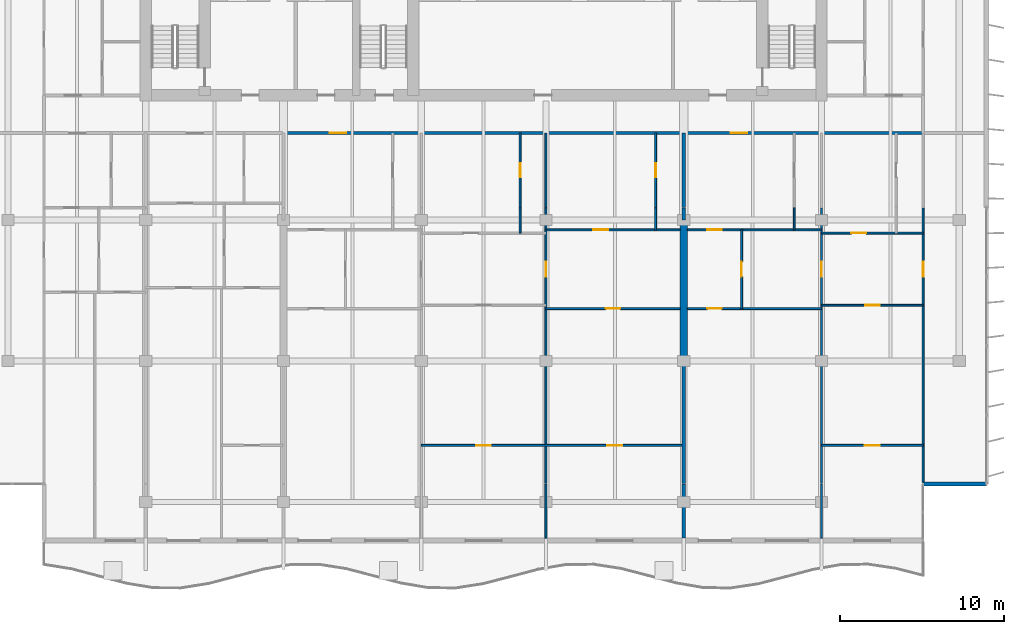
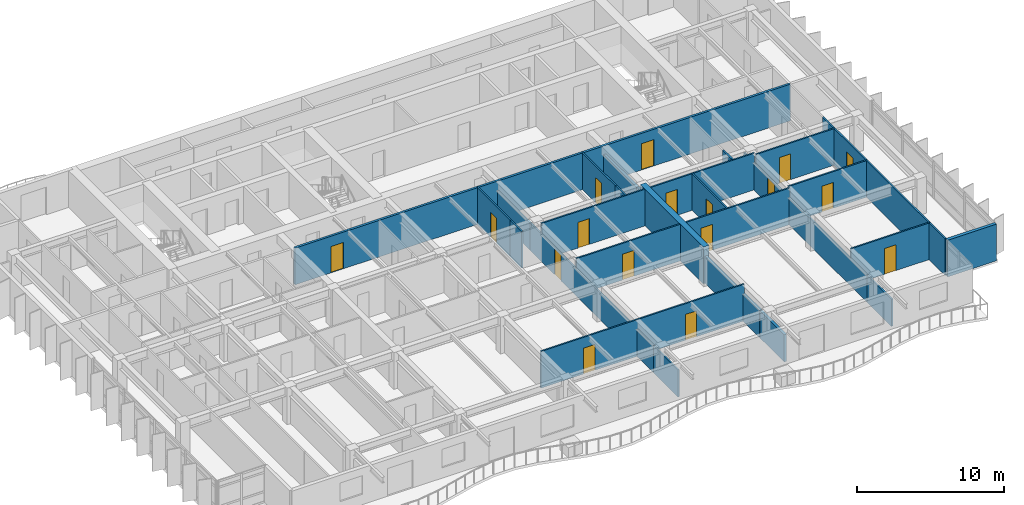
# One storey, part 8 of 16: 27 walls, 17 doors, 17 openings.
"""IFC4 building model written with IfcOpenShell, lengths in metres."""

from ifc_helpers import new_model, si_unit, direction, frame, frame_2d, origin, place, context, subcontext, project, spatial, rectangle, extrude, material, layer, layer_set, type_object, element, fill, save


model = new_model("IFC4")

# Units and contexts
model_context = context("Model", 3, precision=1e-05, world=origin(), true_north=direction((0.0, 1.0)))
body_context = subcontext(model_context, "Body", "Model", "MODEL_VIEW")
ifc_project = project(units=[si_unit("LENGTHUNIT", "METRE"), si_unit("AREAUNIT", "SQUARE_METRE"), si_unit("VOLUMEUNIT", "CUBIC_METRE"), si_unit("PLANEANGLEUNIT", "RADIAN"), si_unit("MASSUNIT", "GRAM", prefix="KILO")], contexts=[model_context])

# Site, building, storey
site_placement = place(None, origin())
site = spatial("IfcSite", under=ifc_project, at=site_placement, CompositionType="ELEMENT")
building_placement = place(site_placement, origin())
building = spatial("IfcBuilding", under=site, at=building_placement, Name="Caelmar Bay Residences", CompositionType="ELEMENT")
storey_placement = place(building_placement, frame((0.0, 0.0, 252.89990234375)))
storey = spatial("IfcBuildingStorey", under=building, at=storey_placement, Name="L71", CompositionType="ELEMENT", Elevation=252.89990234375)

# Wall
ifc_material_1 = material(Name="Concrete f'c 55 MPa (8,000 psi)", Category="concrete")
ifc_layer_1 = layer(ifc_material_1, 0.449951171875)
ifc_layer_set_1 = layer_set([ifc_layer_1], Name="Concrete f'c 55 MPa (8,000 psi)")
wall_type_1 = type_object("IfcWallType", Name="SW-XSLB-450", PredefinedType="SHEAR", material=ifc_layer_set_1)
wall_1_placement = place(storey_placement, frame((51.10009765625, 20.800048828125, 0.0), z_axis=(0.0, 0.0, 1.0), x_axis=(0.0, 1.0, 0.0)))
element("IfcWall", 1, at=wall_1_placement, inside=storey, type_object=wall_type_1, Name="L71 Transverse Cross-Slab Shear Wall E8", PredefinedType="SHEAR", context=body_context, shape_type="SweptSolid", body=[
    extrude(rectangle(XDim=8.599853515625, YDim=0.449951171875, at=frame_2d((4.2998046875, 0.0))), origin(), (0.0, 0.0, 1.0), 3.050048828125),
])

# Wall, openings, doors
ifc_material_2 = material(Name="Double-stud acoustic fire-rated gypsum partition 180 mm")
ifc_layer_2 = layer(ifc_material_2, 0.179931640625)
ifc_layer_set_2 = layer_set([ifc_layer_2], Name="Double-stud acoustic fire-rated gypsum partition 180 mm")
wall_type_2 = type_object("IfcWallType", Name="W-COR-200", PredefinedType="PARTITIONING", material=ifc_layer_set_2)
wall_2_placement = place(storey_placement, frame((26.699951171875, 34.699951171875, 0.0), z_axis=(0.0, 0.0, 1.0), x_axis=(1.0, 0.0, 0.0)))
wall_2 = element("IfcWall", 2, at=wall_2_placement, inside=storey, type_object=wall_type_2, Name="L71 Partition Wall H086", PredefinedType="PARTITIONING", context=body_context, shape_type="SweptSolid", body=[
    extrude(rectangle(XDim=39.0, YDim=0.179931640625, at=frame_2d((19.5, 0.0))), origin(), (0.0, 0.0, 1.0), 3.050048828125),
])
opening_1_placement = place(wall_2_placement, frame((2.826904296875, 0.0, 0.0)))
opening_1 = element("IfcOpeningElement", 3, at=opening_1_placement, cuts=wall_2, Name="Opening D-L71-137", PredefinedType="OPENING", context=body_context, shape_type="SweptSolid", body=[
    extrude(rectangle(XDim=1.0, YDim=2.199951171875, at=frame_2d((0.5, 1.10009765625))), frame((0.0, 0.099853515625, 0.0), z_axis=(0.0, -1.0, 0.0), x_axis=(1.0, 0.0, 0.0)), (0.0, 0.0, 1.0), 0.199951171875),
])
opening_2_placement = place(wall_2_placement, frame((27.26953125, 0.0, 0.0)))
opening_2 = element("IfcOpeningElement", 4, at=opening_2_placement, cuts=wall_2, Name="Opening D-L71-152", PredefinedType="OPENING", context=body_context, shape_type="SweptSolid", body=[
    extrude(rectangle(XDim=1.0, YDim=2.199951171875, at=frame_2d((0.5, 1.10009765625))), frame((0.0, 0.099853515625, 0.0), z_axis=(0.0, -1.0, 0.0), x_axis=(1.0, 0.0, 0.0)), (0.0, 0.0, 1.0), 0.199951171875),
])
ifc_material_3 = material(Name="Fire-rated steel and walnut architectural door assembly", Category="steel")
ifc_layer_3 = layer(ifc_material_3, 0.050048828125)
ifc_layer_set_3 = layer_set([ifc_layer_3], Name="Fire-rated steel and walnut architectural door assembly")
door_type_1 = type_object("IfcDoorType", Name="D-UNIT-1000", OperationType="NOTDEFINED", PredefinedType="DOOR", material=ifc_layer_set_3)
door_1_placement = place(opening_1_placement, origin())
door_1 = element("IfcDoor", 5, at=door_1_placement, inside=storey, type_object=door_type_1, Name="L71 Residence 03 Apartment Hall Door", OperationType="SINGLE_SWING_RIGHT", OverallHeight=2.199951171875, OverallWidth=1.0, PredefinedType="DOOR", context=body_context, shape_type="SweptSolid", body=[
    extrude(rectangle(XDim=1.0, YDim=2.199951171875, at=frame_2d((0.5, 1.10009765625))), frame((0.0, 0.02490234375, 0.0), z_axis=(0.0, -1.0, 0.0), x_axis=(1.0, 0.0, 0.0)), (0.0, 0.0, 1.0), 0.050048828125),
])
fill(opening_1, door_1)
door_2_placement = place(opening_2_placement, origin())
door_2 = element("IfcDoor", 6, at=door_2_placement, inside=storey, type_object=door_type_1, Name="L71 Residence 04 Apartment Hall Door", OperationType="SINGLE_SWING_LEFT", OverallHeight=2.199951171875, OverallWidth=1.0, PredefinedType="DOOR", context=body_context, shape_type="SweptSolid", body=[
    extrude(rectangle(XDim=1.0, YDim=2.199951171875, at=frame_2d((0.5, 1.10009765625))), frame((0.0, 0.02490234375, 0.0), z_axis=(0.0, -1.0, 0.0), x_axis=(1.0, 0.0, 0.0)), (0.0, 0.0, 1.0), 0.050048828125),
])
fill(opening_2, door_2)

# Walls
ifc_material_4 = material(Name="Precast concrete f'c 40 MPa (6,000 psi)", Category="concrete")
ifc_layer_4 = layer(ifc_material_4, 0.25)
ifc_layer_set_4 = layer_set([ifc_layer_4], Name="Precast concrete f'c 40 MPa (6,000 psi)")
wall_type_3 = type_object("IfcWallType", Name="W-EXT-250", PredefinedType="ELEMENTEDWALL", material=ifc_layer_set_4)
wall_3_placement = place(storey_placement, frame((65.699951171875, 13.300048828125, 0.0), z_axis=(0.0, 0.0, 1.0), x_axis=(1.0, 0.0, 0.0)))
element("IfcWall", 7, at=wall_3_placement, inside=storey, type_object=wall_type_3, Name="L71 SE Notch Return Wall", PredefinedType="ELEMENTEDWALL", context=body_context, shape_type="SweptSolid", body=[
    extrude(rectangle(XDim=3.85009765625, YDim=0.25, at=frame_2d((1.925048828125, 0.0))), origin(), (0.0, 0.0, 1.0), 3.050048828125),
])
ifc_material_5 = material(Name="Acoustic metal-stud gypsum partition 120 mm")
ifc_layer_5 = layer(ifc_material_5, 0.1201171875)
ifc_layer_set_5 = layer_set([ifc_layer_5], Name="Acoustic metal-stud gypsum partition 120 mm")
wall_type_4 = type_object("IfcWallType", Name="W-PRT-120", PredefinedType="PARTITIONING", material=ifc_layer_set_5)
wall_4_placement = place(storey_placement, frame((41.1259765625, 28.60009765625, 0.0), z_axis=(0.0, 0.0, 1.0), x_axis=(0.0, 1.0, 0.0)))
element("IfcWall", 8, at=wall_4_placement, inside=storey, type_object=wall_type_4, Name="L71 Partition Wall V035", PredefinedType="PARTITIONING", context=body_context, shape_type="SweptSolid", body=[
    extrude(rectangle(XDim=1.539794921875, YDim=0.1201171875, at=frame_2d((0.77001953125, 0.0))), origin(), (0.0, 0.0, 1.0), 3.050048828125),
])

# Wall, opening, door
wall_5_placement = place(storey_placement, frame((41.1259765625, 30.14990234375, 0.0), z_axis=(0.0, 0.0, 1.0), x_axis=(0.0, 1.0, 0.0)))
wall_5 = element("IfcWall", 9, at=wall_5_placement, inside=storey, type_object=wall_type_4, Name="L71 Partition Wall V036", PredefinedType="PARTITIONING", context=body_context, shape_type="SweptSolid", body=[
    extrude(rectangle(XDim=4.550048828125, YDim=0.1201171875, at=frame_2d((2.27490234375, 0.0))), origin(), (0.0, 0.0, 1.0), 3.050048828125),
])
opening_3_placement = place(wall_5_placement, frame((1.85009765625, 0.0, 0.0)))
opening_3 = element("IfcOpeningElement", 10, at=opening_3_placement, cuts=wall_5, Name="Opening D-L71-144", PredefinedType="OPENING", context=body_context, shape_type="SweptSolid", body=[
    extrude(rectangle(XDim=0.85009765625, YDim=2.10009765625, at=frame_2d((0.425048828125, 1.050048828125))), frame((0.0, 0.070068359375, 0.0), z_axis=(0.0, -1.0, 0.0), x_axis=(1.0, 0.0, 0.0)), (0.0, 0.0, 1.0), 0.14013671875),
])
ifc_material_6 = material(Name="Solid walnut timber interior door leaf and frame", Category="wood")
ifc_layer_6 = layer(ifc_material_6, 0.050048828125)
ifc_layer_set_6 = layer_set([ifc_layer_6], Name="Solid walnut timber interior door leaf and frame")
door_type_2 = type_object("IfcDoorType", Name="D-BATH-850", OperationType="NOTDEFINED", PredefinedType="DOOR", material=ifc_layer_set_6)
door_3_placement = place(opening_3_placement, origin())
door_3 = element("IfcDoor", 11, at=door_3_placement, inside=storey, type_object=door_type_2, Name="L71 Residence 03 En-Suite Bathroom 1 Door", OperationType="SINGLE_SWING_LEFT", OverallHeight=2.10009765625, OverallWidth=0.85009765625, PredefinedType="DOOR", context=body_context, shape_type="SweptSolid", body=[
    extrude(rectangle(XDim=0.85009765625, YDim=2.10009765625, at=frame_2d((0.425048828125, 1.050048828125))), frame((0.0, 0.02490234375, 0.0), z_axis=(0.0, -1.0, 0.0), x_axis=(1.0, 0.0, 0.0)), (0.0, 0.0, 1.0), 0.050048828125),
])
fill(opening_3, door_3)

# Wall
wall_6_placement = place(storey_placement, frame((42.699951171875, 9.9951171875, 0.0), z_axis=(0.0, 0.0, 1.0), x_axis=(0.0, 1.0, 0.0)))
element("IfcWall", 12, at=wall_6_placement, inside=storey, type_object=wall_type_4, Name="L71 Partition Wall V038", PredefinedType="PARTITIONING", context=body_context, shape_type="SweptSolid", body=[
    extrude(rectangle(XDim=3.304931640625, YDim=0.1201171875, at=frame_2d((1.65234375, 0.0))), origin(), (0.0, 0.0, 1.0), 2.26318359375),
])

# Wall, opening, door
wall_7_placement = place(storey_placement, frame((42.699951171875, 13.340087890625, 0.0), z_axis=(0.0, 0.0, 1.0), x_axis=(0.0, 1.0, 0.0)))
wall_7 = element("IfcWall", 13, at=wall_7_placement, inside=storey, type_object=wall_type_4, Name="L71 Partition Wall V039", PredefinedType="PARTITIONING", context=body_context, shape_type="SweptSolid", body=[
    extrude(rectangle(XDim=16.7998046875, YDim=0.1201171875, at=frame_2d((8.39990234375, 0.0))), origin(), (0.0, 0.0, 1.0), 2.26318359375),
])
opening_4_placement = place(wall_7_placement, frame((12.610107421875, 0.0, 0.0)))
opening_4 = element("IfcOpeningElement", 14, at=opening_4_placement, cuts=wall_7, Name="Opening D-L71-147", PredefinedType="OPENING", context=body_context, shape_type="SweptSolid", body=[
    extrude(rectangle(XDim=0.89990234375, YDim=2.14990234375, at=frame_2d((0.449951171875, 1.074951171875))), frame((0.0, 0.070068359375, 0.0), z_axis=(0.0, -1.0, 0.0), x_axis=(1.0, 0.0, 0.0)), (0.0, 0.0, 1.0), 0.14013671875),
])
ifc_layer_7 = layer(ifc_material_6, 0.050048828125)
ifc_layer_set_7 = layer_set([ifc_layer_7], Name="Solid walnut timber interior door leaf and frame")
door_type_3 = type_object("IfcDoorType", Name="D-ROOM-900", OperationType="NOTDEFINED", PredefinedType="DOOR", material=ifc_layer_set_7)
door_4_placement = place(opening_4_placement, origin())
door_4 = element("IfcDoor", 15, at=door_4_placement, inside=storey, type_object=door_type_3, Name="L71 Residence 03 Conference Study 2 Door", OperationType="SINGLE_SWING_RIGHT", OverallHeight=2.14990234375, OverallWidth=0.89990234375, PredefinedType="DOOR", context=body_context, shape_type="SweptSolid", body=[
    extrude(rectangle(XDim=0.89990234375, YDim=2.14990234375, at=frame_2d((0.449951171875, 1.074951171875))), frame((0.0, 0.02490234375, 0.0), z_axis=(0.0, -1.0, 0.0), x_axis=(1.0, 0.0, 0.0)), (0.0, 0.0, 1.0), 0.050048828125),
])
fill(opening_4, door_4)

# Walls
wall_8_placement = place(storey_placement, frame((42.699951171875, 30.14990234375, 0.0), z_axis=(0.0, 0.0, 1.0), x_axis=(0.0, 1.0, 0.0)))
element("IfcWall", 16, at=wall_8_placement, inside=storey, type_object=wall_type_4, Name="L71 Partition Wall V040", PredefinedType="PARTITIONING", context=body_context, shape_type="SweptSolid", body=[
    extrude(rectangle(XDim=4.550048828125, YDim=0.1201171875, at=frame_2d((2.27490234375, 0.0))), origin(), (0.0, 0.0, 1.0), 2.26318359375),
])
wall_9_placement = place(storey_placement, frame((49.387939453125, 28.800048828125, 0.0), z_axis=(0.0, 0.0, 1.0), x_axis=(0.0, 1.0, 0.0)))
element("IfcWall", 17, at=wall_9_placement, inside=storey, type_object=wall_type_4, Name="L71 Partition Wall V043", PredefinedType="PARTITIONING", context=body_context, shape_type="SweptSolid", body=[
    extrude(rectangle(XDim=1.33984375, YDim=0.1201171875, at=frame_2d((0.669921875, 0.0))), origin(), (0.0, 0.0, 1.0), 3.050048828125),
])

# Wall, opening, door
wall_10_placement = place(storey_placement, frame((49.387939453125, 30.14990234375, 0.0), z_axis=(0.0, 0.0, 1.0), x_axis=(0.0, 1.0, 0.0)))
wall_10 = element("IfcWall", 18, at=wall_10_placement, inside=storey, type_object=wall_type_4, Name="L71 Partition Wall V044", PredefinedType="PARTITIONING", context=body_context, shape_type="SweptSolid", body=[
    extrude(rectangle(XDim=4.550048828125, YDim=0.1201171875, at=frame_2d((2.27490234375, 0.0))), origin(), (0.0, 0.0, 1.0), 3.050048828125),
])
opening_5_placement = place(wall_10_placement, frame((1.85009765625, 0.0, 0.0)))
opening_5 = element("IfcOpeningElement", 19, at=opening_5_placement, cuts=wall_10, Name="Opening D-L71-149", PredefinedType="OPENING", context=body_context, shape_type="SweptSolid", body=[
    extrude(rectangle(XDim=0.85009765625, YDim=2.10009765625, at=frame_2d((0.425048828125, 1.050048828125))), frame((0.0, 0.070068359375, 0.0), z_axis=(0.0, -1.0, 0.0), x_axis=(1.0, 0.0, 0.0)), (0.0, 0.0, 1.0), 0.14013671875),
])
door_5_placement = place(opening_5_placement, origin())
door_5 = element("IfcDoor", 20, at=door_5_placement, inside=storey, type_object=door_type_2, Name="L71 Residence 03 En-Suite Bathroom 2 Door", OperationType="SINGLE_SWING_RIGHT", OverallHeight=2.10009765625, OverallWidth=0.85009765625, PredefinedType="DOOR", context=body_context, shape_type="SweptSolid", body=[
    extrude(rectangle(XDim=0.85009765625, YDim=2.10009765625, at=frame_2d((0.425048828125, 1.050048828125))), frame((0.0, 0.02490234375, 0.0), z_axis=(0.0, -1.0, 0.0), x_axis=(1.0, 0.0, 0.0)), (0.0, 0.0, 1.0), 0.050048828125),
])
fill(opening_5, door_5)

wall_11_placement = place(storey_placement, frame((54.6279296875, 24.0, 0.0), z_axis=(0.0, 0.0, 1.0), x_axis=(0.0, 1.0, 0.0)))
wall_11 = element("IfcWall", 21, at=wall_11_placement, inside=storey, type_object=wall_type_4, Name="L71 Partition Wall V053", PredefinedType="PARTITIONING", context=body_context, shape_type="SweptSolid", body=[
    extrude(rectangle(XDim=4.800048828125, YDim=0.1201171875, at=frame_2d((2.39990234375, 0.0))), origin(), (0.0, 0.0, 1.0), 3.050048828125),
])
opening_6_placement = place(wall_11_placement, frame((1.949951171875, 0.0, 0.0)))
opening_6 = element("IfcOpeningElement", 22, at=opening_6_placement, cuts=wall_11, Name="Opening D-L71-155", PredefinedType="OPENING", context=body_context, shape_type="SweptSolid", body=[
    extrude(rectangle(XDim=0.89990234375, YDim=2.14990234375, at=frame_2d((0.449951171875, 1.074951171875))), frame((0.0, 0.070068359375, 0.0), z_axis=(0.0, -1.0, 0.0), x_axis=(1.0, 0.0, 0.0)), (0.0, 0.0, 1.0), 0.14013671875),
])
door_6_placement = place(opening_6_placement, origin())
door_6 = element("IfcDoor", 23, at=door_6_placement, inside=storey, type_object=door_type_3, Name="L71 Residence 04 Kitchen Door", OperationType="SINGLE_SWING_RIGHT", OverallHeight=2.14990234375, OverallWidth=0.89990234375, PredefinedType="DOOR", context=body_context, shape_type="SweptSolid", body=[
    extrude(rectangle(XDim=0.89990234375, YDim=2.14990234375, at=frame_2d((0.449951171875, 1.074951171875))), frame((0.0, 0.02490234375, 0.0), z_axis=(0.0, -1.0, 0.0), x_axis=(1.0, 0.0, 0.0)), (0.0, 0.0, 1.0), 0.050048828125),
])
fill(opening_6, door_6)

# Walls
wall_12_placement = place(storey_placement, frame((57.839111328125, 28.800048828125, 0.0), z_axis=(0.0, 0.0, 1.0), x_axis=(0.0, 1.0, 0.0)))
element("IfcWall", 24, at=wall_12_placement, inside=storey, type_object=wall_type_4, Name="L71 Partition Wall V055", PredefinedType="PARTITIONING", context=body_context, shape_type="SweptSolid", body=[
    extrude(rectangle(XDim=1.33984375, YDim=0.1201171875, at=frame_2d((0.669921875, 0.0))), origin(), (0.0, 0.0, 1.0), 3.050048828125),
])
wall_13_placement = place(storey_placement, frame((59.5, 9.9951171875, 0.0), z_axis=(0.0, 0.0, 1.0), x_axis=(0.0, 1.0, 0.0)))
element("IfcWall", 25, at=wall_13_placement, inside=storey, type_object=wall_type_4, Name="L71 Partition Wall V057", PredefinedType="PARTITIONING", context=body_context, shape_type="SweptSolid", body=[
    extrude(rectangle(XDim=3.304931640625, YDim=0.1201171875, at=frame_2d((1.65234375, 0.0))), origin(), (0.0, 0.0, 1.0), 2.26318359375),
])

# Wall, opening, door
wall_14_placement = place(storey_placement, frame((59.5, 13.340087890625, 0.0), z_axis=(0.0, 0.0, 1.0), x_axis=(0.0, 1.0, 0.0)))
wall_14 = element("IfcWall", 26, at=wall_14_placement, inside=storey, type_object=wall_type_4, Name="L71 Partition Wall V058", PredefinedType="PARTITIONING", context=body_context, shape_type="SweptSolid", body=[
    extrude(rectangle(XDim=16.7998046875, YDim=0.1201171875, at=frame_2d((8.39990234375, 0.0))), origin(), (0.0, 0.0, 1.0), 2.26318359375),
])
opening_7_placement = place(wall_14_placement, frame((12.610107421875, 0.0, 0.0)))
opening_7 = element("IfcOpeningElement", 27, at=opening_7_placement, cuts=wall_14, Name="Opening D-L71-157", PredefinedType="OPENING", context=body_context, shape_type="SweptSolid", body=[
    extrude(rectangle(XDim=0.89990234375, YDim=2.14990234375, at=frame_2d((0.449951171875, 1.074951171875))), frame((0.0, 0.070068359375, 0.0), z_axis=(0.0, -1.0, 0.0), x_axis=(1.0, 0.0, 0.0)), (0.0, 0.0, 1.0), 0.14013671875),
])
door_7_placement = place(opening_7_placement, origin())
door_7 = element("IfcDoor", 28, at=door_7_placement, inside=storey, type_object=door_type_3, Name="L71 Residence 04 Conference Study 1 Door", OperationType="SINGLE_SWING_RIGHT", OverallHeight=2.14990234375, OverallWidth=0.89990234375, PredefinedType="DOOR", context=body_context, shape_type="SweptSolid", body=[
    extrude(rectangle(XDim=0.89990234375, YDim=2.14990234375, at=frame_2d((0.449951171875, 1.074951171875))), frame((0.0, 0.02490234375, 0.0), z_axis=(0.0, -1.0, 0.0), x_axis=(1.0, 0.0, 0.0)), (0.0, 0.0, 1.0), 0.050048828125),
])
fill(opening_7, door_7)

wall_15_placement = place(storey_placement, frame((65.699951171875, 13.419921875, 0.0), z_axis=(0.0, 0.0, 1.0), x_axis=(0.0, 1.0, 0.0)))
wall_15 = element("IfcWall", 29, at=wall_15_placement, inside=storey, type_object=wall_type_4, Name="L71 Partition Wall V063", PredefinedType="PARTITIONING", context=body_context, shape_type="SweptSolid", body=[
    extrude(rectangle(XDim=16.719970703125, YDim=0.1201171875, at=frame_2d((8.35986328125, 0.0))), origin(), (0.0, 0.0, 1.0), 3.050048828125),
])
opening_8_placement = place(wall_15_placement, frame((12.530029296875, 0.0, 0.0)))
opening_8 = element("IfcOpeningElement", 30, at=opening_8_placement, cuts=wall_15, Name="Opening D-L71-163", PredefinedType="OPENING", context=body_context, shape_type="SweptSolid", body=[
    extrude(rectangle(XDim=0.89990234375, YDim=2.14990234375, at=frame_2d((0.449951171875, 1.074951171875))), frame((0.0, 0.070068359375, 0.0), z_axis=(0.0, -1.0, 0.0), x_axis=(1.0, 0.0, 0.0)), (0.0, 0.0, 1.0), 0.14013671875),
])
door_8_placement = place(opening_8_placement, origin())
door_8 = element("IfcDoor", 31, at=door_8_placement, inside=storey, type_object=door_type_3, Name="L71 Residence 04 Penthouse East Salon Door", OperationType="SINGLE_SWING_RIGHT", OverallHeight=2.14990234375, OverallWidth=0.89990234375, PredefinedType="DOOR", context=body_context, shape_type="SweptSolid", body=[
    extrude(rectangle(XDim=0.89990234375, YDim=2.14990234375, at=frame_2d((0.449951171875, 1.074951171875))), frame((0.0, 0.02490234375, 0.0), z_axis=(0.0, -1.0, 0.0), x_axis=(1.0, 0.0, 0.0)), (0.0, 0.0, 1.0), 0.050048828125),
])
fill(opening_8, door_8)

# Wall, openings, doors
wall_16_placement = place(storey_placement, frame((35.10009765625, 15.64990234375, 0.0), z_axis=(0.0, 0.0, 1.0), x_axis=(1.0, 0.0, 0.0)))
wall_16 = element("IfcWall", 32, at=wall_16_placement, inside=storey, type_object=wall_type_4, Name="L71 Partition Wall H068", PredefinedType="PARTITIONING", context=body_context, shape_type="SweptSolid", body=[
    extrude(rectangle(XDim=16.0, YDim=0.1201171875, at=frame_2d((8.0, 0.0))), origin(), (0.0, 0.0, 1.0), 3.050048828125),
])
opening_9_placement = place(wall_16_placement, frame((3.35009765625, 0.0, 0.0)))
opening_9 = element("IfcOpeningElement", 33, at=opening_9_placement, cuts=wall_16, Name="Opening D-L71-146", PredefinedType="OPENING", context=body_context, shape_type="SweptSolid", body=[
    extrude(rectangle(XDim=0.89990234375, YDim=2.14990234375, at=frame_2d((0.449951171875, 1.074951171875))), frame((0.0, 0.070068359375, 0.0), z_axis=(0.0, -1.0, 0.0), x_axis=(1.0, 0.0, 0.0)), (0.0, 0.0, 1.0), 0.14013671875),
])
opening_10_placement = place(wall_16_placement, frame((11.35009765625, 0.0, 0.0)))
opening_10 = element("IfcOpeningElement", 34, at=opening_10_placement, cuts=wall_16, Name="Opening D-L71-151", PredefinedType="OPENING", context=body_context, shape_type="SweptSolid", body=[
    extrude(rectangle(XDim=0.89990234375, YDim=2.14990234375, at=frame_2d((0.449951171875, 1.074951171875))), frame((0.0, 0.070068359375, 0.0), z_axis=(0.0, -1.0, 0.0), x_axis=(1.0, 0.0, 0.0)), (0.0, 0.0, 1.0), 0.14013671875),
])
door_9_placement = place(opening_9_placement, origin())
door_9 = element("IfcDoor", 35, at=door_9_placement, inside=storey, type_object=door_type_3, Name="L71 Residence 03 Primary Bedroom 1 Door", OperationType="SINGLE_SWING_LEFT", OverallHeight=2.14990234375, OverallWidth=0.89990234375, PredefinedType="DOOR", context=body_context, shape_type="SweptSolid", body=[
    extrude(rectangle(XDim=0.89990234375, YDim=2.14990234375, at=frame_2d((0.449951171875, 1.074951171875))), frame((0.0, 0.02490234375, 0.0), z_axis=(0.0, -1.0, 0.0), x_axis=(1.0, 0.0, 0.0)), (0.0, 0.0, 1.0), 0.050048828125),
])
fill(opening_9, door_9)
door_10_placement = place(opening_10_placement, origin())
door_10 = element("IfcDoor", 36, at=door_10_placement, inside=storey, type_object=door_type_3, Name="L71 Residence 03 Primary Bedroom 2 Door", OperationType="SINGLE_SWING_RIGHT", OverallHeight=2.14990234375, OverallWidth=0.89990234375, PredefinedType="DOOR", context=body_context, shape_type="SweptSolid", body=[
    extrude(rectangle(XDim=0.89990234375, YDim=2.14990234375, at=frame_2d((0.449951171875, 1.074951171875))), frame((0.0, 0.02490234375, 0.0), z_axis=(0.0, -1.0, 0.0), x_axis=(1.0, 0.0, 0.0)), (0.0, 0.0, 1.0), 0.050048828125),
])
fill(opening_10, door_10)

# Wall, opening, door
wall_17_placement = place(storey_placement, frame((59.5, 15.64990234375, 0.0), z_axis=(0.0, 0.0, 1.0), x_axis=(1.0, 0.0, 0.0)))
wall_17 = element("IfcWall", 37, at=wall_17_placement, inside=storey, type_object=wall_type_4, Name="L71 Partition Wall H069", PredefinedType="PARTITIONING", context=body_context, shape_type="SweptSolid", body=[
    extrude(rectangle(XDim=6.199951171875, YDim=0.1201171875, at=frame_2d((3.10009765625, 0.0))), origin(), (0.0, 0.0, 1.0), 3.050048828125),
])
opening_11_placement = place(wall_17_placement, frame((2.64990234375, 0.0, 0.0)))
opening_11 = element("IfcOpeningElement", 38, at=opening_11_placement, cuts=wall_17, Name="Opening D-L71-161", PredefinedType="OPENING", context=body_context, shape_type="SweptSolid", body=[
    extrude(rectangle(XDim=0.89990234375, YDim=2.14990234375, at=frame_2d((0.449951171875, 1.074951171875))), frame((0.0, 0.070068359375, 0.0), z_axis=(0.0, -1.0, 0.0), x_axis=(1.0, 0.0, 0.0)), (0.0, 0.0, 1.0), 0.14013671875),
])
door_11_placement = place(opening_11_placement, origin())
door_11 = element("IfcDoor", 39, at=door_11_placement, inside=storey, type_object=door_type_3, Name="L71 Residence 04 Primary Bedroom 1 Door", OperationType="SINGLE_SWING_RIGHT", OverallHeight=2.14990234375, OverallWidth=0.89990234375, PredefinedType="DOOR", context=body_context, shape_type="SweptSolid", body=[
    extrude(rectangle(XDim=0.89990234375, YDim=2.14990234375, at=frame_2d((0.449951171875, 1.074951171875))), frame((0.0, 0.02490234375, 0.0), z_axis=(0.0, -1.0, 0.0), x_axis=(1.0, 0.0, 0.0)), (0.0, 0.0, 1.0), 0.050048828125),
])
fill(opening_11, door_11)

wall_18_placement = place(storey_placement, frame((42.699951171875, 24.0, 0.0), z_axis=(0.0, 0.0, 1.0), x_axis=(1.0, 0.0, 0.0)))
wall_18 = element("IfcWall", 40, at=wall_18_placement, inside=storey, type_object=wall_type_4, Name="L71 Partition Wall H071", PredefinedType="PARTITIONING", context=body_context, shape_type="SweptSolid", body=[
    extrude(rectangle(XDim=8.179931640625, YDim=0.1201171875, at=frame_2d((4.08984375, 0.0))), origin(), (0.0, 0.0, 1.0), 3.050048828125),
])
opening_12_placement = place(wall_18_placement, frame((3.639892578125, 0.0, 0.0)))
opening_12 = element("IfcOpeningElement", 41, at=opening_12_placement, cuts=wall_18, Name="Opening D-L71-150", PredefinedType="OPENING", context=body_context, shape_type="SweptSolid", body=[
    extrude(rectangle(XDim=0.89990234375, YDim=2.14990234375, at=frame_2d((0.449951171875, 1.074951171875))), frame((0.0, 0.070068359375, 0.0), z_axis=(0.0, -1.0, 0.0), x_axis=(1.0, 0.0, 0.0)), (0.0, 0.0, 1.0), 0.14013671875),
])
door_12_placement = place(opening_12_placement, origin())
door_12 = element("IfcDoor", 42, at=door_12_placement, inside=storey, type_object=door_type_3, Name="L71 Residence 03 Penthouse Sitting Salon 2 Door", OperationType="SINGLE_SWING_LEFT", OverallHeight=2.14990234375, OverallWidth=0.89990234375, PredefinedType="DOOR", context=body_context, shape_type="SweptSolid", body=[
    extrude(rectangle(XDim=0.89990234375, YDim=2.14990234375, at=frame_2d((0.449951171875, 1.074951171875))), frame((0.0, 0.02490234375, 0.0), z_axis=(0.0, -1.0, 0.0), x_axis=(1.0, 0.0, 0.0)), (0.0, 0.0, 1.0), 0.050048828125),
])
fill(opening_12, door_12)

wall_19_placement = place(storey_placement, frame((51.320068359375, 24.0, 0.0), z_axis=(0.0, 0.0, 1.0), x_axis=(1.0, 0.0, 0.0)))
wall_19 = element("IfcWall", 43, at=wall_19_placement, inside=storey, type_object=wall_type_4, Name="L71 Partition Wall H072", PredefinedType="PARTITIONING", context=body_context, shape_type="SweptSolid", body=[
    extrude(rectangle(XDim=8.179931640625, YDim=0.1201171875, at=frame_2d((4.08984375, 0.0))), origin(), (0.0, 0.0, 1.0), 3.050048828125),
])
opening_13_placement = place(wall_19_placement, frame((1.2041015625, 0.0, 0.0)))
opening_13 = element("IfcOpeningElement", 44, at=opening_13_placement, cuts=wall_19, Name="Opening D-L71-156", PredefinedType="OPENING", context=body_context, shape_type="SweptSolid", body=[
    extrude(rectangle(XDim=0.89990234375, YDim=2.14990234375, at=frame_2d((0.449951171875, 1.074951171875))), frame((0.0, 0.070068359375, 0.0), z_axis=(0.0, -1.0, 0.0), x_axis=(1.0, 0.0, 0.0)), (0.0, 0.0, 1.0), 0.14013671875),
])
door_13_placement = place(opening_13_placement, origin())
door_13 = element("IfcDoor", 45, at=door_13_placement, inside=storey, type_object=door_type_3, Name="L71 Residence 04 Penthouse Living Salon Door", OperationType="SINGLE_SWING_LEFT", OverallHeight=2.14990234375, OverallWidth=0.89990234375, PredefinedType="DOOR", context=body_context, shape_type="SweptSolid", body=[
    extrude(rectangle(XDim=0.89990234375, YDim=2.14990234375, at=frame_2d((0.449951171875, 1.074951171875))), frame((0.0, 0.02490234375, 0.0), z_axis=(0.0, -1.0, 0.0), x_axis=(1.0, 0.0, 0.0)), (0.0, 0.0, 1.0), 0.050048828125),
])
fill(opening_13, door_13)

wall_20_placement = place(storey_placement, frame((59.5048828125, 24.199951171875, 0.0), z_axis=(0.0, 0.0, 1.0), x_axis=(1.0, 0.0, 0.0)))
wall_20 = element("IfcWall", 46, at=wall_20_placement, inside=storey, type_object=wall_type_4, Name="L71 Partition Wall H074", PredefinedType="PARTITIONING", context=body_context, shape_type="SweptSolid", body=[
    extrude(rectangle(XDim=6.195068359375, YDim=0.1201171875, at=frame_2d((3.09765625, 0.0))), origin(), (0.0, 0.0, 1.0), 3.050048828125),
])
opening_14_placement = place(wall_20_placement, frame((2.6474609375, 0.0, 0.0)))
opening_14 = element("IfcOpeningElement", 47, at=opening_14_placement, cuts=wall_20, Name="Opening D-L71-160", PredefinedType="OPENING", context=body_context, shape_type="SweptSolid", body=[
    extrude(rectangle(XDim=0.89990234375, YDim=2.14990234375, at=frame_2d((0.449951171875, 1.074951171875))), frame((0.0, 0.070068359375, 0.0), z_axis=(0.0, -1.0, 0.0), x_axis=(1.0, 0.0, 0.0)), (0.0, 0.0, 1.0), 0.14013671875),
])
door_14_placement = place(opening_14_placement, origin())
door_14 = element("IfcDoor", 48, at=door_14_placement, inside=storey, type_object=door_type_3, Name="L71 Residence 04 Penthouse Sitting Salon 1 Door", OperationType="SINGLE_SWING_LEFT", OverallHeight=2.14990234375, OverallWidth=0.89990234375, PredefinedType="DOOR", context=body_context, shape_type="SweptSolid", body=[
    extrude(rectangle(XDim=0.89990234375, YDim=2.14990234375, at=frame_2d((0.449951171875, 1.074951171875))), frame((0.0, 0.02490234375, 0.0), z_axis=(0.0, -1.0, 0.0), x_axis=(1.0, 0.0, 0.0)), (0.0, 0.0, 1.0), 0.050048828125),
])
fill(opening_14, door_14)

wall_21_placement = place(storey_placement, frame((59.5, 28.60009765625, 0.0), z_axis=(0.0, 0.0, 1.0), x_axis=(1.0, 0.0, 0.0)))
wall_21 = element("IfcWall", 49, at=wall_21_placement, inside=storey, type_object=wall_type_4, Name="L71 Partition Wall H078", PredefinedType="PARTITIONING", context=body_context, shape_type="SweptSolid", body=[
    extrude(rectangle(XDim=6.199951171875, YDim=0.1201171875, at=frame_2d((3.10009765625, 0.0))), origin(), (0.0, 0.0, 1.0), 3.050048828125),
])
opening_15_placement = place(wall_21_placement, frame((1.822021484375, 0.0, 0.0)))
opening_15 = element("IfcOpeningElement", 50, at=opening_15_placement, cuts=wall_21, Name="Opening D-L71-158", PredefinedType="OPENING", context=body_context, shape_type="SweptSolid", body=[
    extrude(rectangle(XDim=0.89990234375, YDim=2.14990234375, at=frame_2d((0.449951171875, 1.074951171875))), frame((0.0, 0.070068359375, 0.0), z_axis=(0.0, -1.0, 0.0), x_axis=(1.0, 0.0, 0.0)), (0.0, 0.0, 1.0), 0.14013671875),
])
door_15_placement = place(opening_15_placement, origin())
door_15 = element("IfcDoor", 51, at=door_15_placement, inside=storey, type_object=door_type_3, Name="L71 Residence 04 Private Meeting Room 1 Door", OperationType="SINGLE_SWING_LEFT", OverallHeight=2.14990234375, OverallWidth=0.89990234375, PredefinedType="DOOR", context=body_context, shape_type="SweptSolid", body=[
    extrude(rectangle(XDim=0.89990234375, YDim=2.14990234375, at=frame_2d((0.449951171875, 1.074951171875))), frame((0.0, 0.02490234375, 0.0), z_axis=(0.0, -1.0, 0.0), x_axis=(1.0, 0.0, 0.0)), (0.0, 0.0, 1.0), 0.050048828125),
])
fill(opening_15, door_15)

wall_22_placement = place(storey_placement, frame((42.705078125, 28.800048828125, 0.0), z_axis=(0.0, 0.0, 1.0), x_axis=(1.0, 0.0, 0.0)))
wall_22 = element("IfcWall", 52, at=wall_22_placement, inside=storey, type_object=wall_type_4, Name="L71 Partition Wall H080", PredefinedType="PARTITIONING", context=body_context, shape_type="SweptSolid", body=[
    extrude(rectangle(XDim=8.1748046875, YDim=0.1201171875, at=frame_2d((4.08740234375, 0.0))), origin(), (0.0, 0.0, 1.0), 3.050048828125),
])
opening_16_placement = place(wall_22_placement, frame((2.8916015625, 0.0, 0.0)))
opening_16 = element("IfcOpeningElement", 53, at=opening_16_placement, cuts=wall_22, Name="Opening D-L71-148", PredefinedType="OPENING", context=body_context, shape_type="SweptSolid", body=[
    extrude(rectangle(XDim=0.89990234375, YDim=2.14990234375, at=frame_2d((0.449951171875, 1.074951171875))), frame((0.0, 0.070068359375, 0.0), z_axis=(0.0, -1.0, 0.0), x_axis=(1.0, 0.0, 0.0)), (0.0, 0.0, 1.0), 0.14013671875),
])
door_16_placement = place(opening_16_placement, origin())
door_16 = element("IfcDoor", 54, at=door_16_placement, inside=storey, type_object=door_type_3, Name="L71 Residence 03 Private Meeting Room 2 Door", OperationType="SINGLE_SWING_LEFT", OverallHeight=2.14990234375, OverallWidth=0.89990234375, PredefinedType="DOOR", context=body_context, shape_type="SweptSolid", body=[
    extrude(rectangle(XDim=0.89990234375, YDim=2.14990234375, at=frame_2d((0.449951171875, 1.074951171875))), frame((0.0, 0.02490234375, 0.0), z_axis=(0.0, -1.0, 0.0), x_axis=(1.0, 0.0, 0.0)), (0.0, 0.0, 1.0), 0.050048828125),
])
fill(opening_16, door_16)

wall_23_placement = place(storey_placement, frame((51.320068359375, 28.800048828125, 0.0), z_axis=(0.0, 0.0, 1.0), x_axis=(1.0, 0.0, 0.0)))
wall_23 = element("IfcWall", 55, at=wall_23_placement, inside=storey, type_object=wall_type_4, Name="L71 Partition Wall H081", PredefinedType="PARTITIONING", context=body_context, shape_type="SweptSolid", body=[
    extrude(rectangle(XDim=8.175048828125, YDim=0.1201171875, at=frame_2d((4.08740234375, 0.0))), origin(), (0.0, 0.0, 1.0), 3.050048828125),
])
opening_17_placement = place(wall_23_placement, frame((1.2041015625, 0.0, 0.0)))
opening_17 = element("IfcOpeningElement", 56, at=opening_17_placement, cuts=wall_23, Name="Opening D-L71-154", PredefinedType="OPENING", context=body_context, shape_type="SweptSolid", body=[
    extrude(rectangle(XDim=0.89990234375, YDim=2.14990234375, at=frame_2d((0.449951171875, 1.074951171875))), frame((0.0, 0.070068359375, 0.0), z_axis=(0.0, -1.0, 0.0), x_axis=(1.0, 0.0, 0.0)), (0.0, 0.0, 1.0), 0.14013671875),
])
door_17_placement = place(opening_17_placement, origin())
door_17 = element("IfcDoor", 57, at=door_17_placement, inside=storey, type_object=door_type_3, Name="L71 Residence 04 Dining Room Door", OperationType="SINGLE_SWING_LEFT", OverallHeight=2.14990234375, OverallWidth=0.89990234375, PredefinedType="DOOR", context=body_context, shape_type="SweptSolid", body=[
    extrude(rectangle(XDim=0.89990234375, YDim=2.14990234375, at=frame_2d((0.449951171875, 1.074951171875))), frame((0.0, 0.02490234375, 0.0), z_axis=(0.0, -1.0, 0.0), x_axis=(1.0, 0.0, 0.0)), (0.0, 0.0, 1.0), 0.050048828125),
])
fill(opening_17, door_17)

# Walls
ifc_material_7 = material(Name="Acoustic twin-stud fire-rated inter-tenancy partition 200 mm")
ifc_layer_8 = layer(ifc_material_7, 0.199951171875)
ifc_layer_set_8 = layer_set([ifc_layer_8], Name="Acoustic twin-stud fire-rated inter-tenancy partition 200 mm")
wall_type_5 = type_object("IfcWallType", Name="W-PTY-200", PredefinedType="PARTITIONING", material=ifc_layer_set_8)
wall_24_placement = place(storey_placement, frame((51.10009765625, 9.9951171875, 0.0), z_axis=(0.0, 0.0, 1.0), x_axis=(0.0, 1.0, 0.0)))
element("IfcWall", 58, at=wall_24_placement, inside=storey, type_object=wall_type_5, Name="L71 Partition Wall V047", PredefinedType="PARTITIONING", context=body_context, shape_type="SweptSolid", body=[
    extrude(rectangle(XDim=3.304931640625, YDim=0.199951171875, at=frame_2d((1.65234375, 0.0))), origin(), (0.0, 0.0, 1.0), 2.26318359375),
])
wall_25_placement = place(storey_placement, frame((51.10009765625, 13.340087890625, 0.0), z_axis=(0.0, 0.0, 1.0), x_axis=(0.0, 1.0, 0.0)))
element("IfcWall", 59, at=wall_25_placement, inside=storey, type_object=wall_type_5, Name="L71 Partition Wall V048", PredefinedType="PARTITIONING", context=body_context, shape_type="SweptSolid", body=[
    extrude(rectangle(XDim=7.454833984375, YDim=0.199951171875, at=frame_2d((3.7275390625, 0.0))), origin(), (0.0, 0.0, 1.0), 2.26318359375),
])
wall_26_placement = place(storey_placement, frame((51.10009765625, 29.405029296875, 0.0), z_axis=(0.0, 0.0, 1.0), x_axis=(0.0, 1.0, 0.0)))
element("IfcWall", 60, at=wall_26_placement, inside=storey, type_object=wall_type_5, Name="L71 Partition Wall V049", PredefinedType="PARTITIONING", context=body_context, shape_type="SweptSolid", body=[
    extrude(rectangle(XDim=0.73486328125, YDim=0.199951171875, at=frame_2d((0.367431640625, 0.0))), origin(), (0.0, 0.0, 1.0), 2.335205078125),
])
wall_27_placement = place(storey_placement, frame((51.10009765625, 30.14990234375, 0.0), z_axis=(0.0, 0.0, 1.0), x_axis=(0.0, 1.0, 0.0)))
element("IfcWall", 61, at=wall_27_placement, inside=storey, type_object=wall_type_5, Name="L71 Partition Wall V050", PredefinedType="PARTITIONING", context=body_context, shape_type="SweptSolid", body=[
    extrude(rectangle(XDim=4.550048828125, YDim=0.199951171875, at=frame_2d((2.27490234375, 0.0))), origin(), (0.0, 0.0, 1.0), 2.335205078125),
])

save(model, "model.ifc")
